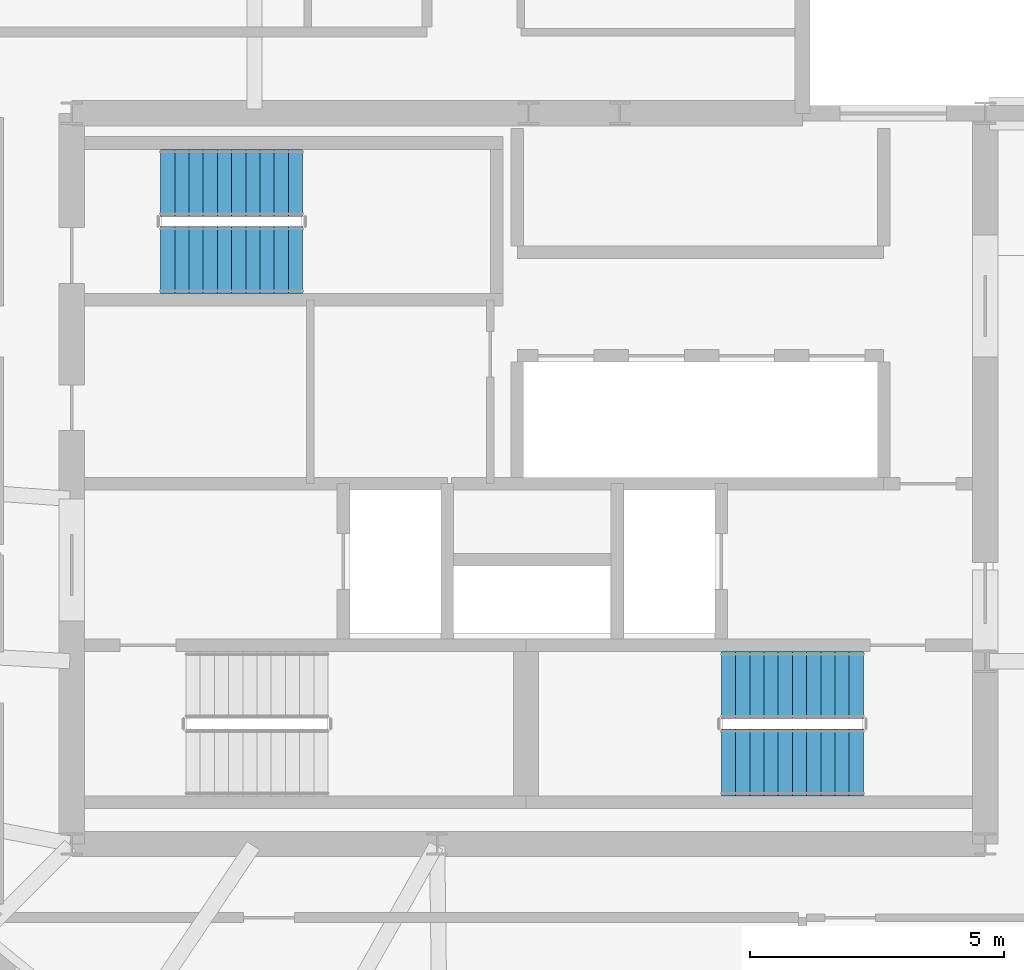
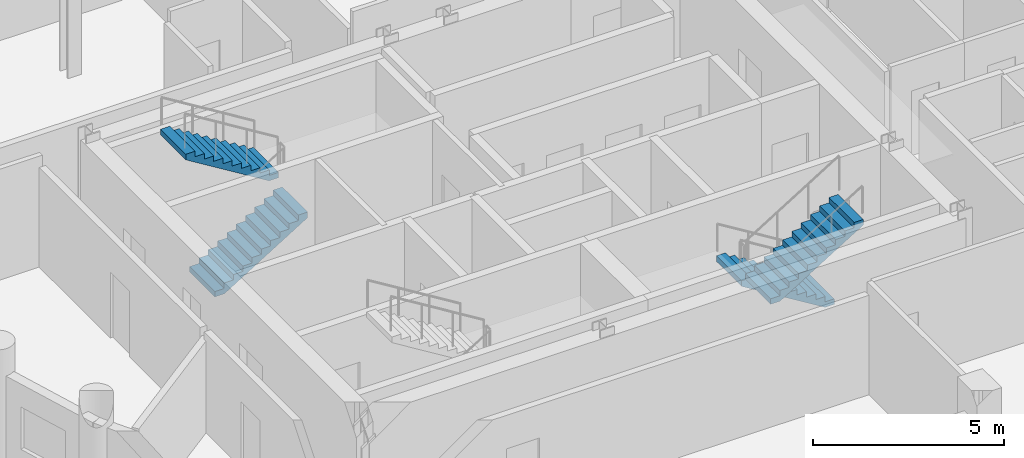
# One storey, part 8 of 9: 4 stair flights, 2 elements without a shape of their own.
"""IFC4 building model written with IfcOpenShell, lengths in metres."""

from ifc_helpers import new_model, si_unit, direction, frame, origin, place, context, subcontext, project, spatial, polyline, outline, extrude, material, type_object, element, aggregate, save


model = new_model("IFC4")

# Units and contexts
model_context = context("Model", 3, precision=1e-05, world=origin(), true_north=direction((0.0, 1.0)))
body_context = subcontext(model_context, "Body", "Model", "MODEL_VIEW")
ifc_project = project(units=[si_unit("LENGTHUNIT", "METRE"), si_unit("AREAUNIT", "SQUARE_METRE"), si_unit("VOLUMEUNIT", "CUBIC_METRE"), si_unit("PLANEANGLEUNIT", "RADIAN"), si_unit("MASSUNIT", "GRAM", prefix="KILO")], contexts=[model_context])

# Site, building, storey
site_placement = place(None, origin())
site = spatial("IfcSite", under=ifc_project, at=site_placement, CompositionType="ELEMENT")
building_placement = place(site_placement, origin())
building = spatial("IfcBuilding", under=site, at=building_placement, Name="Solnavia Interchange Tower", CompositionType="ELEMENT")
storey_placement = place(building_placement, frame((0.0, 0.0, 139.0)))
storey = spatial("IfcBuildingStorey", under=building, at=storey_placement, Name="L34", CompositionType="ELEMENT", Elevation=139.0)

# Stair, stair flights
ifc_material = material(Name="Concrete C40/50", Category="concrete")
stair_type = type_object("IfcStairType", Name="Stair-Dogleg-RC", PredefinedType="HALF_TURN_STAIR", material=ifc_material)
stair_1_placement = place(storey_placement, origin())
stair_1 = element("IfcStair", 1, at=stair_1_placement, inside=storey, type_object=stair_type, Name="L34 Core exit stair 2", PredefinedType="HALF_TURN_STAIR")
stair_flight_type = type_object("IfcStairFlightType", Name="StairFlight-RC-150", PredefinedType="STRAIGHT", material=ifc_material)
stair_flight_1_placement = place(storey_placement, frame((30.0, 13.929931640625, 0.0), z_axis=(0.0, 0.0, 1.0), x_axis=(-1.0, 0.0, 0.0)))
stair_flight_1 = element("IfcStairFlight", 2, at=stair_flight_1_placement, type_object=stair_flight_type, Name="ST-2 flight 1", NumberOfRisers=11, NumberOfTreads=10, PredefinedType="STRAIGHT", RiserHeight=0.172727273, TreadLength=0.28, context=body_context, shape_type="SweptSolid", body=[
    extrude(outline(polyline([(0.0, 0.0), (0.0, 0.172607421875), (0.280029296875, 0.172607421875), (0.280029296875, 0.345458984375), (0.56005859375, 0.345458984375), (0.56005859375, 0.51806640625), (0.840087890625, 0.51806640625), (0.840087890625, 0.69091796875), (1.1201171875, 0.69091796875), (1.1201171875, 0.863525390625), (1.39990234375, 0.863525390625), (1.39990234375, 1.036376953125), (1.679931640625, 1.036376953125), (1.679931640625, 1.208984375), (1.9599609375, 1.208984375), (1.9599609375, 1.3818359375), (2.239990234375, 1.3818359375), (2.239990234375, 1.554443359375), (2.52001953125, 1.554443359375), (2.52001953125, 1.727294921875), (2.800048828125, 1.727294921875), (2.800048828125, 1.89990234375), (2.800048828125, 1.551025390625), (0.285400390625, 0.0), (0.0, 0.0)])), frame((0.0, 0.66015625, 0.0), z_axis=(0.0, -1.0, 0.0), x_axis=(1.0, 0.0, 0.0)), (0.0, 0.0, 1.0), 1.320068359375),
])
stair_flight_2_placement = place(storey_placement, frame((27.199951171875, 12.409912109375, 1.89990234375), z_axis=(0.0, 0.0, 1.0), x_axis=(1.0, 0.0, 0.0)))
stair_flight_2 = element("IfcStairFlight", 3, at=stair_flight_2_placement, type_object=stair_flight_type, Name="ST-2 flight 2", NumberOfRisers=11, NumberOfTreads=10, PredefinedType="STRAIGHT", RiserHeight=0.172727273, TreadLength=0.28, context=body_context, shape_type="SweptSolid", body=[
    extrude(outline(polyline([(0.0, 0.0), (0.0, 0.172607421875), (0.280029296875, 0.172607421875), (0.280029296875, 0.345458984375), (0.56005859375, 0.345458984375), (0.56005859375, 0.51806640625), (0.840087890625, 0.51806640625), (0.840087890625, 0.69091796875), (1.1201171875, 0.69091796875), (1.1201171875, 0.863525390625), (1.39990234375, 0.863525390625), (1.39990234375, 1.036376953125), (1.679931640625, 1.036376953125), (1.679931640625, 1.208984375), (1.9599609375, 1.208984375), (1.9599609375, 1.3818359375), (2.239990234375, 1.3818359375), (2.239990234375, 1.554443359375), (2.52001953125, 1.554443359375), (2.52001953125, 1.727294921875), (2.800048828125, 1.727294921875), (2.800048828125, 1.89990234375), (2.800048828125, 1.551025390625), (0.285400390625, 0.0), (0.0, 0.0)])), frame((0.0, 0.66015625, 0.0), z_axis=(0.0, -1.0, 0.0), x_axis=(1.0, 0.0, 0.0)), (0.0, 0.0, 1.0), 1.320068359375),
])
aggregate(stair_1, [stair_flight_1, stair_flight_2])

stair_2_placement = place(storey_placement, origin())
stair_2 = element("IfcStair", 4, at=stair_2_placement, inside=storey, type_object=stair_type, Name="L34 Core exit stair 3", PredefinedType="HALF_TURN_STAIR")
stair_flight_3_placement = place(storey_placement, frame((16.14990234375, 22.31005859375, 0.0), z_axis=(0.0, 0.0, 1.0), x_axis=(1.0, 0.0, 0.0)))
stair_flight_3 = element("IfcStairFlight", 5, at=stair_flight_3_placement, type_object=stair_flight_type, Name="ST-3 flight 1", NumberOfRisers=11, NumberOfTreads=10, PredefinedType="STRAIGHT", RiserHeight=0.172727273, TreadLength=0.28, context=body_context, shape_type="SweptSolid", body=[
    extrude(outline(polyline([(0.0, 0.0), (0.0, 0.172607421875), (0.280029296875, 0.172607421875), (0.280029296875, 0.345458984375), (0.56005859375, 0.345458984375), (0.56005859375, 0.51806640625), (0.840087890625, 0.51806640625), (0.840087890625, 0.69091796875), (1.1201171875, 0.69091796875), (1.1201171875, 0.863525390625), (1.39990234375, 0.863525390625), (1.39990234375, 1.036376953125), (1.679931640625, 1.036376953125), (1.679931640625, 1.208984375), (1.9599609375, 1.208984375), (1.9599609375, 1.3818359375), (2.239990234375, 1.3818359375), (2.239990234375, 1.554443359375), (2.52001953125, 1.554443359375), (2.52001953125, 1.727294921875), (2.800048828125, 1.727294921875), (2.800048828125, 1.89990234375), (2.800048828125, 1.551025390625), (0.285400390625, 0.0), (0.0, 0.0)])), frame((0.0, 0.66015625, 0.0), z_axis=(0.0, -1.0, 0.0), x_axis=(1.0, 0.0, 0.0)), (0.0, 0.0, 1.0), 1.320068359375),
])
stair_flight_4_placement = place(storey_placement, frame((18.949951171875, 23.830078125, 1.89990234375), z_axis=(0.0, 0.0, 1.0), x_axis=(-1.0, 0.0, 0.0)))
stair_flight_4 = element("IfcStairFlight", 6, at=stair_flight_4_placement, type_object=stair_flight_type, Name="ST-3 flight 2", NumberOfRisers=11, NumberOfTreads=10, PredefinedType="STRAIGHT", RiserHeight=0.172727273, TreadLength=0.28, context=body_context, shape_type="SweptSolid", body=[
    extrude(outline(polyline([(0.0, 0.0), (0.0, 0.172607421875), (0.280029296875, 0.172607421875), (0.280029296875, 0.345458984375), (0.56005859375, 0.345458984375), (0.56005859375, 0.51806640625), (0.840087890625, 0.51806640625), (0.840087890625, 0.69091796875), (1.1201171875, 0.69091796875), (1.1201171875, 0.863525390625), (1.39990234375, 0.863525390625), (1.39990234375, 1.036376953125), (1.679931640625, 1.036376953125), (1.679931640625, 1.208984375), (1.9599609375, 1.208984375), (1.9599609375, 1.3818359375), (2.239990234375, 1.3818359375), (2.239990234375, 1.554443359375), (2.52001953125, 1.554443359375), (2.52001953125, 1.727294921875), (2.800048828125, 1.727294921875), (2.800048828125, 1.89990234375), (2.800048828125, 1.551025390625), (0.285400390625, 0.0), (0.0, 0.0)])), frame((0.0, 0.66015625, 0.0), z_axis=(0.0, -1.0, 0.0), x_axis=(1.0, 0.0, 0.0)), (0.0, 0.0, 1.0), 1.320068359375),
])
aggregate(stair_2, [stair_flight_3, stair_flight_4])

save(model, "model.ifc")
